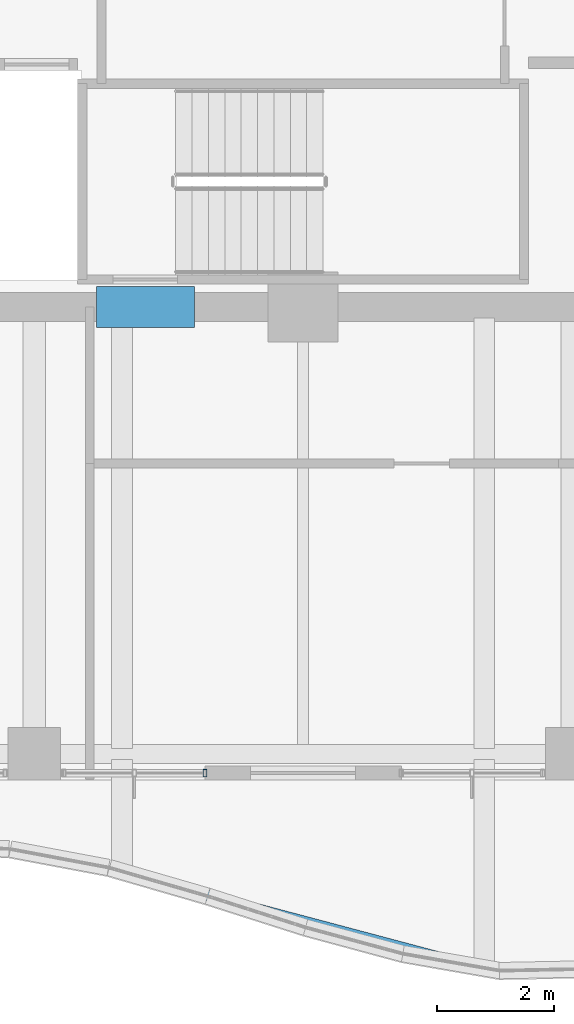
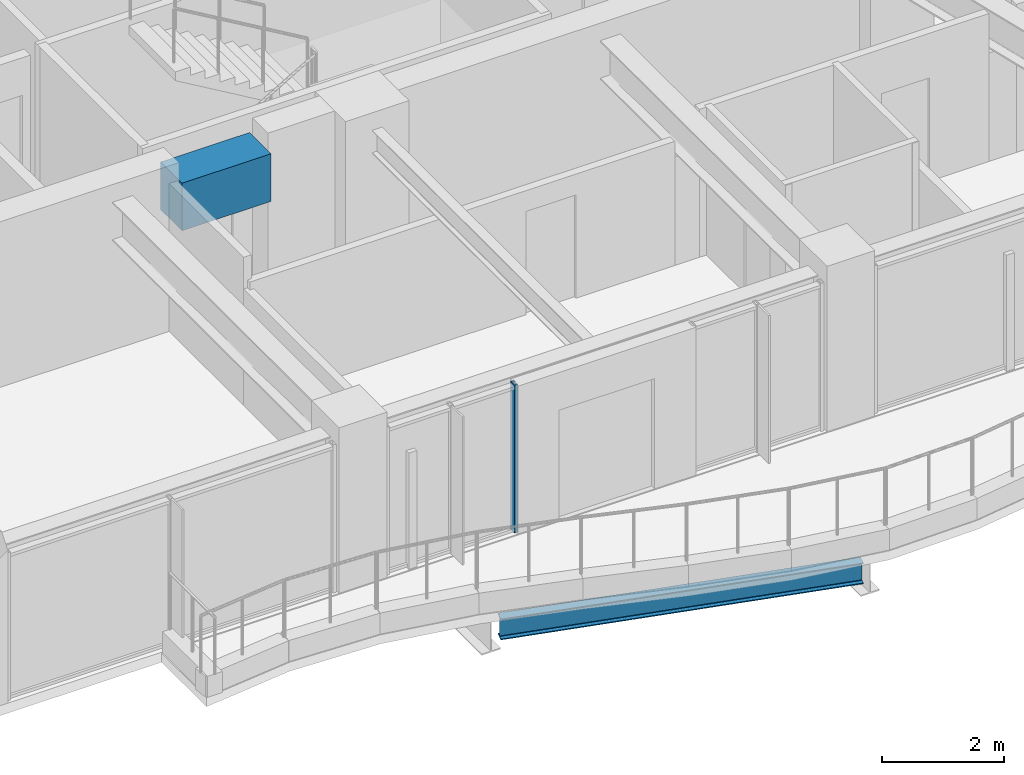
# One storey, part 5 of 31: 2 beams, 1 member, 1 element without a shape of its own.
"""IFC4 building model written with IfcOpenShell, lengths in metres."""

from ifc_helpers import new_model, si_unit, direction, frame, origin, origin_2d, place, context, subcontext, project, spatial, rectangle, hollow_rectangle, i_section, extrude, material, material_profile, profile_set, type_object, element, aggregate, save


model = new_model("IFC4")

# Units and contexts
model_context = context("Model", 3, precision=1e-05, world=origin(), true_north=direction((0.0, 1.0)))
body_context = subcontext(model_context, "Body", "Model", "MODEL_VIEW")
ifc_project = project(units=[si_unit("LENGTHUNIT", "METRE"), si_unit("AREAUNIT", "SQUARE_METRE"), si_unit("VOLUMEUNIT", "CUBIC_METRE"), si_unit("PLANEANGLEUNIT", "RADIAN"), si_unit("MASSUNIT", "GRAM", prefix="KILO")], contexts=[model_context])

# Site, building, storey
site_placement = place(None, origin())
site = spatial("IfcSite", under=ifc_project, at=site_placement, CompositionType="ELEMENT")
building_placement = place(site_placement, origin())
building = spatial("IfcBuilding", under=site, at=building_placement, Name="Kolvaren Belvedere", CompositionType="ELEMENT")
storey_placement = place(building_placement, frame((0.0, 0.0, 144.800048828125)))
storey = spatial("IfcBuildingStorey", under=building, at=storey_placement, Name="L42", CompositionType="ELEMENT", Elevation=144.800048828125)

# Beams
ifc_material_1 = material(Name="Structural steel ASTM A992 Grade 50", Category="steel")
ifc_material_profile_1 = material_profile(ifc_material_1, i_section(OverallWidth=0.180908203125, OverallDepth=0.4169921875, WebThickness=0.010986328125, FlangeThickness=0.018310546875, FilletRadius=0.013916015625, at=origin_2d()), Name="W16X57")
ifc_profile_set_1 = profile_set([ifc_material_profile_1], Name="Structural steel ASTM A992 Grade 50")
beam_type_1 = type_object("IfcBeamType", Name="BM-EDGE-W16X57", PredefinedType="BEAM", material=ifc_profile_set_1)
beam_1_placement = place(storey_placement, frame((-2.964599609375, -19.622802734375, -0.408447265625), z_axis=(0.966445311896, -0.256872456901, 0.0), x_axis=(0.256872456901, 0.966445311896, 0.0)))
element("IfcBeam", 1, at=beam_1_placement, inside=storey, type_object=beam_type_1, Name="L42 Balcony Tip Header Beam BAL-S", PredefinedType="BEAM", context=body_context, shape_type="SweptSolid", body=[
    extrude(i_section(OverallWidth=0.180908203125, OverallDepth=0.4169921875, WebThickness=0.010986328125, FlangeThickness=0.018310546875, FilletRadius=0.013916015625, at=origin_2d()), origin(), (0.0, 0.0, 1.0), 6.135009765625),
])
ifc_material_2 = material(Name="Concrete C60/75", Category="concrete")
ifc_material_profile_2 = material_profile(ifc_material_2, rectangle(XDim=0.699951171875, YDim=0.949951171875, at=origin_2d()), Name="RC 700X950")
ifc_profile_set_2 = profile_set([ifc_material_profile_2], Name="Concrete C60/75")
beam_type_2 = type_object("IfcBeamType", Name="BM-LINT-950", PredefinedType="LINTEL", material=ifc_profile_set_2)
beam_2_placement = place(storey_placement, frame((-3.5400390625, -9.89990234375, 2.474853515625), z_axis=(1.0, 0.0, 0.0), x_axis=(0.0, 1.0, 0.0)))
element("IfcBeam", 2, at=beam_2_placement, inside=storey, type_object=beam_type_2, Name="L42 South Core Coupling Lintel", PredefinedType="LINTEL", context=body_context, shape_type="SweptSolid", body=[
    extrude(rectangle(XDim=0.699951171875, YDim=0.949951171875, at=origin_2d()), origin(), (0.0, 0.0, 1.0), 1.679931640625),
])

# Curtain wall, member
ifc_material_3 = material(Name="Anodised pale-metal aluminium AA 6063-T6", Category="aluminium")
curtain_wall_type = type_object("IfcCurtainWallType", Name="CW-Z3-WAIST", PredefinedType="NOTDEFINED", material=ifc_material_3)
curtain_wall_placement = place(storey_placement, origin())
curtain_wall = element("IfcCurtainWall", 3, at=curtain_wall_placement, inside=storey, type_object=curtain_wall_type, Name="L42 Unitised Curtain Wall FCW-L42-S2-B1", PredefinedType="NOTDEFINED")
ifc_material_4 = material(Name="Anodised pale-metal aluminium AA 6063-T6", Category="aluminium")
ifc_material_profile_3 = material_profile(ifc_material_4, hollow_rectangle(XDim=0.06494140625, YDim=0.1298828125, WallThickness=0.00390625, at=origin_2d()), Name="ALU-MUL-130X65")
ifc_profile_set_3 = profile_set([ifc_material_profile_3], Name="Anodised pale-metal aluminium AA 6063-T6")
member_type = type_object("IfcMemberType", Name="CW-MUL-130", PredefinedType="MULLION", material=ifc_profile_set_3)
member_placement = place(storey_placement, frame((-1.679931640625, -17.8798828125, 0.0), z_axis=(0.0, 0.0, 1.0), x_axis=(1.0, 0.0, 0.0)))
member = element("IfcMember", 4, at=member_placement, type_object=member_type, Name="FCW-L42-S2-B1 Unitised Mullion 1", PredefinedType="MULLION", context=body_context, shape_type="SweptSolid", body=[
    extrude(hollow_rectangle(XDim=0.06494140625, YDim=0.1298828125, WallThickness=0.00390625, at=origin_2d()), origin(), (0.0, 0.0, 1.0), 2.949951171875),
])
aggregate(curtain_wall, [member])

save(model, "model.ifc")
